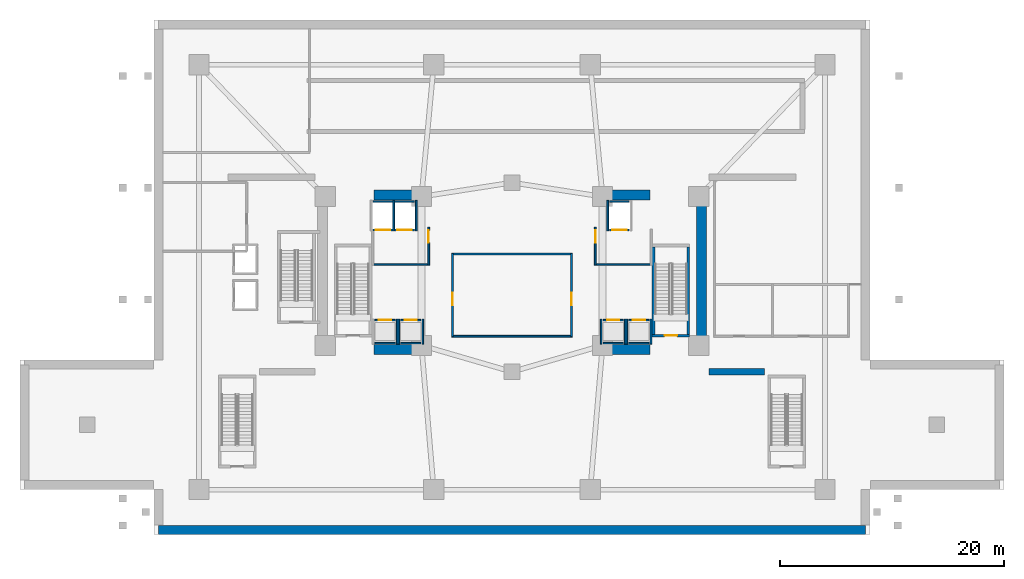
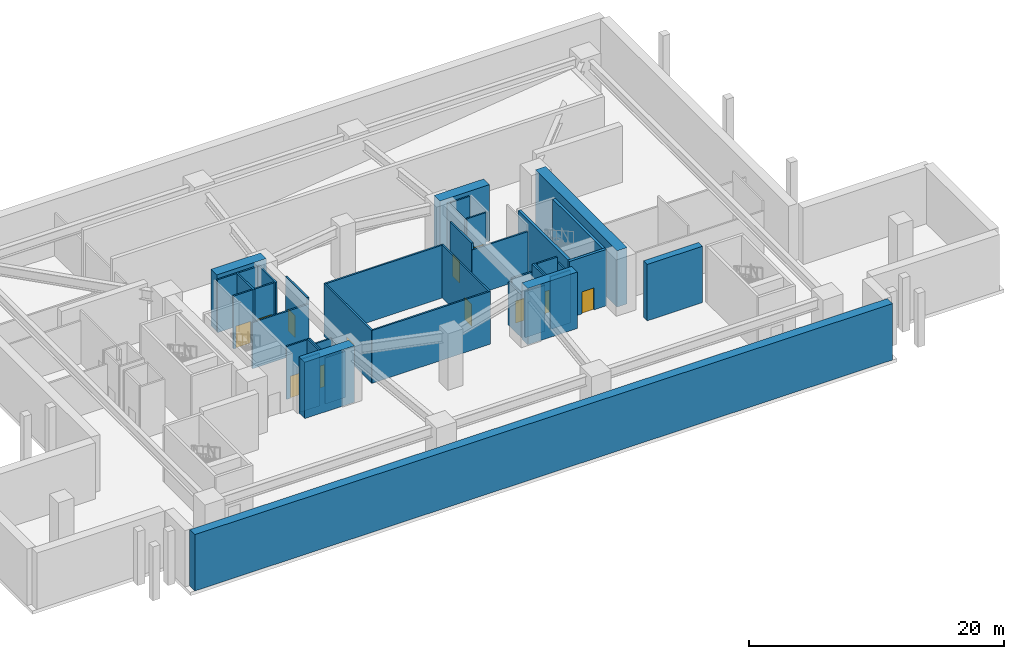
# One storey, part 3 of 9: 42 walls, 12 doors, 12 openings.
"""IFC4 building model written with IfcOpenShell, lengths in metres."""

from ifc_helpers import new_model, si_unit, direction, frame, frame_2d, origin, place, context, subcontext, project, spatial, rectangle, extrude, material, layer, layer_set, type_object, element, fill, save


model = new_model("IFC4")

# Units and contexts
model_context = context("Model", 3, precision=1e-05, world=origin(), true_north=direction((0.0, 1.0)))
body_context = subcontext(model_context, "Body", "Model", "MODEL_VIEW")
ifc_project = project(units=[si_unit("LENGTHUNIT", "METRE"), si_unit("AREAUNIT", "SQUARE_METRE"), si_unit("VOLUMEUNIT", "CUBIC_METRE"), si_unit("PLANEANGLEUNIT", "RADIAN"), si_unit("MASSUNIT", "GRAM", prefix="KILO")], contexts=[model_context])

# Site, building, storey
site_placement = place(None, origin())
site = spatial("IfcSite", under=ifc_project, at=site_placement, CompositionType="ELEMENT")
building_placement = place(site_placement, origin())
building = spatial("IfcBuilding", under=site, at=building_placement, Name="Solvane Sanctuary Tower", CompositionType="ELEMENT")
storey_placement = place(building_placement, frame((0.0, 0.0, -5.39990234375)))
storey = spatial("IfcBuildingStorey", under=building, at=storey_placement, Name="B01", CompositionType="ELEMENT", Elevation=-5.39990234375)

# Walls
ifc_material_1 = material(Name="Concrete C70/85", Category="concrete")
ifc_layer_1 = layer(ifc_material_1, 0.89990234375, Name="Concrete C70/85")
ifc_layer_set_1 = layer_set([ifc_layer_1], Name="Concrete C70/85")
wall_type_1 = type_object("IfcWallType", Name="Wall W-CORE-900", PredefinedType="SHEAR", material=ifc_layer_set_1)
for number, where, z_axis, x_axis, name in (
    (1, (19.64990234375, 16.550048828125, 0.0), (0.0, 0.0, 1.0), (1.0, 0.0, 0.0), "B01 Core Shear Wall WC-S"),
    (2, (19.64990234375, 30.35009765625, 0.0), (0.0, 0.0, 1.0), (1.0, 0.0, 0.0), "B01 Core Shear Wall WC-N"),
):
    element("IfcWall", number, at=place(storey_placement, frame(where, z_axis=z_axis, x_axis=x_axis)), inside=storey, type_object=wall_type_1, Name=name, PredefinedType="SHEAR", context=body_context, shape_type="SweptSolid", body=[
        extrude(rectangle(XDim=4.5, YDim=0.89990234375, at=frame_2d((2.25, 0.0))), origin(), (0.0, 0.0, 1.0), 5.39990234375),
    ])
wall_1_placement = place(storey_placement, frame((48.949951171875, 17.050048828125, 0.0), z_axis=(0.0, 0.0, 1.0), x_axis=(0.0, 1.0, 0.0)))
element("IfcWall", 3, at=wall_1_placement, inside=storey, type_object=wall_type_1, Name="B01 Core Shear Wall EC-E", PredefinedType="SHEAR", context=body_context, shape_type="SweptSolid", body=[
    extrude(rectangle(XDim=12.800048828125, YDim=0.89990234375, at=frame_2d((6.39990234375, 0.0))), origin(), (0.0, 0.0, 1.0), 5.39990234375),
])
for number, where, z_axis, x_axis, name in (
    (4, (39.85009765625, 16.550048828125, 0.0), (0.0, 0.0, 1.0), (1.0, 0.0, 0.0), "B01 Core Shear Wall EC-S"),
    (5, (39.85009765625, 30.35009765625, 0.0), (0.0, 0.0, 1.0), (1.0, 0.0, 0.0), "B01 Core Shear Wall EC-N"),
):
    element("IfcWall", number, at=place(storey_placement, frame(where, z_axis=z_axis, x_axis=x_axis)), inside=storey, type_object=wall_type_1, Name=name, PredefinedType="SHEAR", context=body_context, shape_type="SweptSolid", body=[
        extrude(rectangle(XDim=4.5, YDim=0.89990234375, at=frame_2d((2.25, 0.0))), origin(), (0.0, 0.0, 1.0), 5.39990234375),
    ])
ifc_material_2 = material(Name="Acoustic Gypsum Partition Board")
ifc_layer_2 = layer(ifc_material_2, 0.14990234375, Name="Acoustic Gypsum Partition Board")
ifc_layer_set_2 = layer_set([ifc_layer_2], Name="Acoustic Gypsum Partition Board")
wall_type_2 = type_object("IfcWallType", Name="Wall W-CORR-150", PredefinedType="PARTITIONING", material=ifc_layer_set_2)
wall_2_placement = place(storey_placement, frame((19.52001953125, 24.1201171875, 0.0), z_axis=(0.0, 0.0, 1.0), x_axis=(1.0, 0.0, 0.0)))
element("IfcWall", 6, at=wall_2_placement, inside=storey, type_object=wall_type_2, Name="B01 West Firefighting Lobby South Wall", PredefinedType="PARTITIONING", context=body_context, shape_type="SweptSolid", body=[
    extrude(rectangle(XDim=5.080078125, YDim=0.14990234375, at=frame_2d((2.5400390625, 0.0))), origin(), (0.0, 0.0, 1.0), 4.419921875),
])

# Wall, opening, door
wall_3_placement = place(storey_placement, frame((24.550048828125, 24.080078125, 0.0), z_axis=(0.0, 0.0, 1.0), x_axis=(0.0, 1.0, 0.0)))
wall_3 = element("IfcWall", 7, at=wall_3_placement, inside=storey, type_object=wall_type_2, Name="B01 West Firefighting Lobby East Wall", PredefinedType="PARTITIONING", context=body_context, shape_type="SweptSolid", body=[
    extrude(rectangle(XDim=3.39990234375, YDim=0.14990234375, at=frame_2d((1.699951171875, 0.0))), origin(), (0.0, 0.0, 1.0), 5.054931640625),
])
opening_1_placement = place(wall_3_placement, frame((2.02001953125, 0.0, 0.0)))
opening_1 = element("IfcOpeningElement", 8, at=opening_1_placement, cuts=wall_3, Name="Opening D-B01-06", PredefinedType="OPENING", context=body_context, shape_type="SweptSolid", body=[
    extrude(rectangle(XDim=1.10009765625, YDim=2.10009765625, at=frame_2d((0.550048828125, 1.050048828125))), frame((0.0, 0.0849609375, 0.0), z_axis=(0.0, -1.0, 0.0), x_axis=(1.0, 0.0, 0.0)), (0.0, 0.0, 1.0), 0.169921875),
])
ifc_material_3 = material(Name="Architectural Stainless Steel 316", Category="steel")
door_type_1 = type_object("IfcDoorType", Name="Door D-FFL", OperationType="NOTDEFINED", PredefinedType="DOOR", material=ifc_material_3)
door_1_placement = place(opening_1_placement, origin())
door_1 = element("IfcDoor", 9, at=door_1_placement, inside=storey, type_object=door_type_1, Name="B01 West Firefighting Lobby Fire Door", OperationType="SINGLE_SWING_RIGHT", OverallHeight=2.10009765625, OverallWidth=1.10009765625, PredefinedType="DOOR", context=body_context, shape_type="SweptSolid", body=[
    extrude(rectangle(XDim=1.10009765625, YDim=2.10009765625, at=frame_2d((0.550048828125, 1.050048828125))), frame((0.0, 0.02490234375, 0.0), z_axis=(0.0, -1.0, 0.0), x_axis=(1.0, 0.0, 0.0)), (0.0, 0.0, 1.0), 0.050048828125),
])
fill(opening_1, door_1)

# Wall
wall_4_placement = place(storey_placement, frame((39.39990234375, 24.1201171875, 0.0), z_axis=(0.0, 0.0, 1.0), x_axis=(1.0, 0.0, 0.0)))
element("IfcWall", 10, at=wall_4_placement, inside=storey, type_object=wall_type_2, Name="B01 East Firefighting Lobby South Wall", PredefinedType="PARTITIONING", context=body_context, shape_type="SweptSolid", body=[
    extrude(rectangle(XDim=5.080078125, YDim=0.14990234375, at=frame_2d((2.5400390625, 0.0))), origin(), (0.0, 0.0, 1.0), 4.419921875),
])

# Wall, opening, door
wall_5_placement = place(storey_placement, frame((39.449951171875, 24.080078125, 0.0), z_axis=(0.0, 0.0, 1.0), x_axis=(0.0, 1.0, 0.0)))
wall_5 = element("IfcWall", 11, at=wall_5_placement, inside=storey, type_object=wall_type_2, Name="B01 East Firefighting Lobby West Wall", PredefinedType="PARTITIONING", context=body_context, shape_type="SweptSolid", body=[
    extrude(rectangle(XDim=3.39990234375, YDim=0.14990234375, at=frame_2d((1.699951171875, 0.0))), origin(), (0.0, 0.0, 1.0), 5.054931640625),
])
opening_2_placement = place(wall_5_placement, frame((2.02001953125, 0.0, 0.0)))
opening_2 = element("IfcOpeningElement", 12, at=opening_2_placement, cuts=wall_5, Name="Opening D-B01-07", PredefinedType="OPENING", context=body_context, shape_type="SweptSolid", body=[
    extrude(rectangle(XDim=1.10009765625, YDim=2.10009765625, at=frame_2d((0.550048828125, 1.050048828125))), frame((0.0, 0.0849609375, 0.0), z_axis=(0.0, -1.0, 0.0), x_axis=(1.0, 0.0, 0.0)), (0.0, 0.0, 1.0), 0.169921875),
])
door_2_placement = place(opening_2_placement, origin())
door_2 = element("IfcDoor", 13, at=door_2_placement, inside=storey, type_object=door_type_1, Name="B01 East Firefighting Lobby Fire Door", OperationType="SINGLE_SWING_LEFT", OverallHeight=2.10009765625, OverallWidth=1.10009765625, PredefinedType="DOOR", context=body_context, shape_type="SweptSolid", body=[
    extrude(rectangle(XDim=1.10009765625, YDim=2.10009765625, at=frame_2d((0.550048828125, 1.050048828125))), frame((0.0, 0.02490234375, 0.0), z_axis=(0.0, -1.0, 0.0), x_axis=(1.0, 0.0, 0.0)), (0.0, 0.0, 1.0), 0.050048828125),
])
fill(opening_2, door_2)

# Walls
for number, where, z_axis, x_axis, name in (
    (14, (26.6201171875, 17.719970703125, 0.0), (0.0, 0.0, 1.0), (1.0, 0.0, 0.0), "B01 Ticketing Hall South Wall"),
    (15, (26.6201171875, 25.080078125, 0.0), (0.0, 0.0, 1.0), (1.0, 0.0, 0.0), "B01 Ticketing Hall North Wall"),
):
    element("IfcWall", number, at=place(storey_placement, frame(where, z_axis=z_axis, x_axis=x_axis)), inside=storey, type_object=wall_type_2, Name=name, PredefinedType="PARTITIONING", context=body_context, shape_type="SweptSolid", body=[
        extrude(rectangle(XDim=10.759765625, YDim=0.14990234375, at=frame_2d((5.3798828125, 0.0))), origin(), (0.0, 0.0, 1.0), 5.054931640625),
    ])

# Wall, opening, door
wall_6_placement = place(storey_placement, frame((26.679931640625, 17.699951171875, 0.0), z_axis=(0.0, 0.0, 1.0), x_axis=(0.0, 1.0, 0.0)))
wall_6 = element("IfcWall", 16, at=wall_6_placement, inside=storey, type_object=wall_type_2, Name="B01 Ticketing Hall West Wall", PredefinedType="PARTITIONING", context=body_context, shape_type="SweptSolid", body=[
    extrude(rectangle(XDim=7.400146484375, YDim=0.14990234375, at=frame_2d((3.7001953125, 0.0))), origin(), (0.0, 0.0, 1.0), 5.054931640625),
])
opening_3_placement = place(wall_6_placement, frame((2.800048828125, 0.0, 0.0)))
opening_3 = element("IfcOpeningElement", 17, at=opening_3_placement, cuts=wall_6, Name="Opening D-B01-13", PredefinedType="OPENING", context=body_context, shape_type="SweptSolid", body=[
    extrude(rectangle(XDim=1.10009765625, YDim=2.10009765625, at=frame_2d((0.550048828125, 1.050048828125))), frame((0.0, 0.0849609375, 0.0), z_axis=(0.0, -1.0, 0.0), x_axis=(1.0, 0.0, 0.0)), (0.0, 0.0, 1.0), 0.169921875),
])
door_3_placement = place(opening_3_placement, origin())
door_3 = element("IfcDoor", 18, at=door_3_placement, inside=storey, type_object=door_type_1, Name="B01 Ticketing Hall West Door", OperationType="SINGLE_SWING_LEFT", OverallHeight=2.10009765625, OverallWidth=1.10009765625, PredefinedType="DOOR", context=body_context, shape_type="SweptSolid", body=[
    extrude(rectangle(XDim=1.10009765625, YDim=2.10009765625, at=frame_2d((0.550048828125, 1.050048828125))), frame((0.0, 0.02490234375, 0.0), z_axis=(0.0, -1.0, 0.0), x_axis=(1.0, 0.0, 0.0)), (0.0, 0.0, 1.0), 0.050048828125),
])
fill(opening_3, door_3)

wall_7_placement = place(storey_placement, frame((37.320068359375, 17.699951171875, 0.0), z_axis=(0.0, 0.0, 1.0), x_axis=(0.0, 1.0, 0.0)))
wall_7 = element("IfcWall", 19, at=wall_7_placement, inside=storey, type_object=wall_type_2, Name="B01 Ticketing Hall East Wall", PredefinedType="PARTITIONING", context=body_context, shape_type="SweptSolid", body=[
    extrude(rectangle(XDim=7.400146484375, YDim=0.14990234375, at=frame_2d((3.7001953125, 0.0))), origin(), (0.0, 0.0, 1.0), 5.054931640625),
])
opening_4_placement = place(wall_7_placement, frame((2.800048828125, 0.0, 0.0)))
opening_4 = element("IfcOpeningElement", 20, at=opening_4_placement, cuts=wall_7, Name="Opening D-B01-14", PredefinedType="OPENING", context=body_context, shape_type="SweptSolid", body=[
    extrude(rectangle(XDim=1.10009765625, YDim=2.10009765625, at=frame_2d((0.550048828125, 1.050048828125))), frame((0.0, 0.0849609375, 0.0), z_axis=(0.0, -1.0, 0.0), x_axis=(1.0, 0.0, 0.0)), (0.0, 0.0, 1.0), 0.169921875),
])
door_4_placement = place(opening_4_placement, origin())
door_4 = element("IfcDoor", 21, at=door_4_placement, inside=storey, type_object=door_type_1, Name="B01 Ticketing Hall East Door", OperationType="SINGLE_SWING_RIGHT", OverallHeight=2.10009765625, OverallWidth=1.10009765625, PredefinedType="DOOR", context=body_context, shape_type="SweptSolid", body=[
    extrude(rectangle(XDim=1.10009765625, YDim=2.10009765625, at=frame_2d((0.550048828125, 1.050048828125))), frame((0.0, 0.02490234375, 0.0), z_axis=(0.0, -1.0, 0.0), x_axis=(1.0, 0.0, 0.0)), (0.0, 0.0, 1.0), 0.050048828125),
])
fill(opening_4, door_4)

# Walls
ifc_material_4 = material(Name="Concrete C60/75", Category="concrete")
ifc_layer_3 = layer(ifc_material_4, 0.60009765625, Name="Concrete C60/75")
ifc_layer_set_3 = layer_set([ifc_layer_3], Name="Concrete C60/75")
wall_type_3 = type_object("IfcWallType", Name="Wall W-METRO-600", PredefinedType="SOLIDWALL", material=ifc_layer_set_3)
wall_8_placement = place(storey_placement, frame((49.60009765625, 14.550048828125, 0.0), z_axis=(0.0, 0.0, 1.0), x_axis=(1.0, 0.0, 0.0)))
element("IfcWall", 22, at=wall_8_placement, inside=storey, type_object=wall_type_3, Name="B01 Metro Station Box Wall MS2", PredefinedType="SOLIDWALL", context=body_context, shape_type="SweptSolid", body=[
    extrude(rectangle(XDim=5.0, YDim=0.60009765625, at=frame_2d((2.5, 0.0))), origin(), (0.0, 0.0, 1.0), 5.39990234375),
])
ifc_layer_4 = layer(ifc_material_4, 0.800048828125, Name="Concrete C60/75")
ifc_layer_set_4 = layer_set([ifc_layer_4], Name="Concrete C60/75")
wall_type_4 = type_object("IfcWallType", Name="Wall W-RET-800", PredefinedType="USERDEFINED", material=ifc_layer_set_4)
wall_9_placement = place(storey_placement, frame((0.39990234375, 0.39990234375, 0.0), z_axis=(0.0, 0.0, 1.0), x_axis=(1.0, 0.0, 0.0)))
element("IfcWall", 23, at=wall_9_placement, inside=storey, type_object=wall_type_4, Name="B01 Perimeter Retaining Wall S", ObjectType="RETAININGWALL", PredefinedType="USERDEFINED", context=body_context, shape_type="SweptSolid", body=[
    extrude(rectangle(XDim=63.2001953125, YDim=0.800048828125, at=frame_2d((31.60009765625, 0.0))), origin(), (0.0, 0.0, 1.0), 5.39990234375),
])

# Wall, opening, door
ifc_material_5 = material(Name="Concrete C50/60", Category="concrete")
ifc_layer_5 = layer(ifc_material_5, 0.14990234375, Name="Concrete C50/60")
ifc_layer_set_5 = layer_set([ifc_layer_5], Name="Concrete C50/60")
wall_type_5 = type_object("IfcWallType", Name="Wall W-SHAFT-150", PredefinedType="SOLIDWALL", material=ifc_layer_set_5)
wall_10_placement = place(storey_placement, frame((19.739990234375, 19.159912109375, 0.0), z_axis=(0.0, 0.0, 1.0), x_axis=(1.0, 0.0, 0.0)))
wall_10 = element("IfcWall", 24, at=wall_10_placement, inside=storey, type_object=wall_type_5, Name="B01 PL-1 Lift Shaft Wall F", PredefinedType="SOLIDWALL", context=body_context, shape_type="SweptSolid", body=[
    extrude(rectangle(XDim=1.820068359375, YDim=0.14990234375, at=frame_2d((0.91015625, 0.0))), origin(), (0.0, 0.0, 1.0), 5.054931640625),
])
opening_5_placement = place(wall_10_placement, frame((0.360107421875, 0.0, 0.0)))
opening_5 = element("IfcOpeningElement", 25, at=opening_5_placement, cuts=wall_10, Name="Opening LD-B01-01", PredefinedType="OPENING", context=body_context, shape_type="SweptSolid", body=[
    extrude(rectangle(XDim=1.10009765625, YDim=2.10009765625, at=frame_2d((0.550048828125, 1.050048828125))), frame((0.0, 0.0849609375, 0.0), z_axis=(0.0, -1.0, 0.0), x_axis=(1.0, 0.0, 0.0)), (0.0, 0.0, 1.0), 0.169921875),
])
door_type_2 = type_object("IfcDoorType", Name="Door LD-PASS-1100", OperationType="NOTDEFINED", PredefinedType="DOOR", material=ifc_material_3)
door_5_placement = place(opening_5_placement, origin())
door_5 = element("IfcDoor", 26, at=door_5_placement, inside=storey, type_object=door_type_2, Name="B01 PL-1 Lift Landing Door", OperationType="DOUBLE_DOOR_SLIDING", OverallHeight=2.10009765625, OverallWidth=1.10009765625, PredefinedType="DOOR", context=body_context, shape_type="SweptSolid", body=[
    extrude(rectangle(XDim=1.10009765625, YDim=2.10009765625, at=frame_2d((0.550048828125, 1.050048828125))), frame((0.0, 0.02490234375, 0.0), z_axis=(0.0, -1.0, 0.0), x_axis=(1.0, 0.0, 0.0)), (0.0, 0.0, 1.0), 0.050048828125),
])
fill(opening_5, door_5)

# Walls
wall_11_placement = place(storey_placement, frame((19.739990234375, 17.10009765625, 0.0), z_axis=(0.0, 0.0, 1.0), x_axis=(1.0, 0.0, 0.0)))
element("IfcWall", 27, at=wall_11_placement, inside=storey, type_object=wall_type_5, Name="B01 PL-1 Lift Shaft Wall B", PredefinedType="SOLIDWALL", context=body_context, shape_type="SweptSolid", body=[
    extrude(rectangle(XDim=1.820068359375, YDim=0.14990234375, at=frame_2d((0.91015625, 0.0))), origin(), (0.0, 0.0, 1.0), 5.054931640625),
])
wall_12_placement = place(storey_placement, frame((21.72998046875, 17.02001953125, 0.0), z_axis=(0.0, 0.0, 1.0), x_axis=(0.0, 1.0, 0.0)))
element("IfcWall", 28, at=wall_12_placement, inside=storey, type_object=wall_type_5, Name="B01 PL-1 Lift Shaft Wall S2", PredefinedType="SOLIDWALL", context=body_context, shape_type="SweptSolid", body=[
    extrude(rectangle(XDim=2.219970703125, YDim=0.14990234375, at=frame_2d((1.10986328125, 0.0))), origin(), (0.0, 0.0, 1.0), 5.054931640625),
])

# Wall, opening, door
wall_13_placement = place(storey_placement, frame((22.0400390625, 19.159912109375, 0.0), z_axis=(0.0, 0.0, 1.0), x_axis=(1.0, 0.0, 0.0)))
wall_13 = element("IfcWall", 29, at=wall_13_placement, inside=storey, type_object=wall_type_5, Name="B01 PL-2 Lift Shaft Wall F", PredefinedType="SOLIDWALL", context=body_context, shape_type="SweptSolid", body=[
    extrude(rectangle(XDim=1.820068359375, YDim=0.14990234375, at=frame_2d((0.91015625, 0.0))), origin(), (0.0, 0.0, 1.0), 4.419921875),
])
opening_6_placement = place(wall_13_placement, frame((0.360107421875, 0.0, 0.0)))
opening_6 = element("IfcOpeningElement", 30, at=opening_6_placement, cuts=wall_13, Name="Opening LD-B01-02", PredefinedType="OPENING", context=body_context, shape_type="SweptSolid", body=[
    extrude(rectangle(XDim=1.10009765625, YDim=2.10009765625, at=frame_2d((0.550048828125, 1.050048828125))), frame((0.0, 0.0849609375, 0.0), z_axis=(0.0, -1.0, 0.0), x_axis=(1.0, 0.0, 0.0)), (0.0, 0.0, 1.0), 0.169921875),
])
door_6_placement = place(opening_6_placement, origin())
door_6 = element("IfcDoor", 31, at=door_6_placement, inside=storey, type_object=door_type_2, Name="B01 PL-2 Lift Landing Door", OperationType="DOUBLE_DOOR_SLIDING", OverallHeight=2.10009765625, OverallWidth=1.10009765625, PredefinedType="DOOR", context=body_context, shape_type="SweptSolid", body=[
    extrude(rectangle(XDim=1.10009765625, YDim=2.10009765625, at=frame_2d((0.550048828125, 1.050048828125))), frame((0.0, 0.02490234375, 0.0), z_axis=(0.0, -1.0, 0.0), x_axis=(1.0, 0.0, 0.0)), (0.0, 0.0, 1.0), 0.050048828125),
])
fill(opening_6, door_6)

# Walls
wall_14_placement = place(storey_placement, frame((22.0400390625, 17.10009765625, 0.0), z_axis=(0.0, 0.0, 1.0), x_axis=(1.0, 0.0, 0.0)))
element("IfcWall", 32, at=wall_14_placement, inside=storey, type_object=wall_type_5, Name="B01 PL-2 Lift Shaft Wall B", PredefinedType="SOLIDWALL", context=body_context, shape_type="SweptSolid", body=[
    extrude(rectangle(XDim=1.820068359375, YDim=0.14990234375, at=frame_2d((0.91015625, 0.0))), origin(), (0.0, 0.0, 1.0), 4.419921875),
])
wall_15_placement = place(storey_placement, frame((21.8701171875, 17.02001953125, 0.0), z_axis=(0.0, 0.0, 1.0), x_axis=(0.0, 1.0, 0.0)))
element("IfcWall", 33, at=wall_15_placement, inside=storey, type_object=wall_type_5, Name="B01 PL-2 Lift Shaft Wall S1", PredefinedType="SOLIDWALL", context=body_context, shape_type="SweptSolid", body=[
    extrude(rectangle(XDim=2.219970703125, YDim=0.14990234375, at=frame_2d((1.10986328125, 0.0))), origin(), (0.0, 0.0, 1.0), 5.054931640625),
])
wall_16_placement = place(storey_placement, frame((24.030029296875, 17.02001953125, 0.0), z_axis=(0.0, 0.0, 1.0), x_axis=(0.0, 1.0, 0.0)))
element("IfcWall", 34, at=wall_16_placement, inside=storey, type_object=wall_type_5, Name="B01 PL-2 Lift Shaft Wall S2", PredefinedType="SOLIDWALL", context=body_context, shape_type="SweptSolid", body=[
    extrude(rectangle(XDim=2.219970703125, YDim=0.14990234375, at=frame_2d((1.10986328125, 0.0))), origin(), (0.0, 0.0, 1.0), 4.099853515625),
])

# Wall, opening, door
wall_17_placement = place(storey_placement, frame((40.139892578125, 19.159912109375, 0.0), z_axis=(0.0, 0.0, 1.0), x_axis=(1.0, 0.0, 0.0)))
wall_17 = element("IfcWall", 35, at=wall_17_placement, inside=storey, type_object=wall_type_5, Name="B01 PL-3 Lift Shaft Wall F", PredefinedType="SOLIDWALL", context=body_context, shape_type="SweptSolid", body=[
    extrude(rectangle(XDim=1.820068359375, YDim=0.14990234375, at=frame_2d((0.91015625, 0.0))), origin(), (0.0, 0.0, 1.0), 4.419921875),
])
opening_7_placement = place(wall_17_placement, frame((0.360107421875, 0.0, 0.0)))
opening_7 = element("IfcOpeningElement", 36, at=opening_7_placement, cuts=wall_17, Name="Opening LD-B01-03", PredefinedType="OPENING", context=body_context, shape_type="SweptSolid", body=[
    extrude(rectangle(XDim=1.10009765625, YDim=2.10009765625, at=frame_2d((0.550048828125, 1.050048828125))), frame((0.0, 0.0849609375, 0.0), z_axis=(0.0, -1.0, 0.0), x_axis=(1.0, 0.0, 0.0)), (0.0, 0.0, 1.0), 0.169921875),
])
door_7_placement = place(opening_7_placement, origin())
door_7 = element("IfcDoor", 37, at=door_7_placement, inside=storey, type_object=door_type_2, Name="B01 PL-3 Lift Landing Door", OperationType="DOUBLE_DOOR_SLIDING", OverallHeight=2.10009765625, OverallWidth=1.10009765625, PredefinedType="DOOR", context=body_context, shape_type="SweptSolid", body=[
    extrude(rectangle(XDim=1.10009765625, YDim=2.10009765625, at=frame_2d((0.550048828125, 1.050048828125))), frame((0.0, 0.02490234375, 0.0), z_axis=(0.0, -1.0, 0.0), x_axis=(1.0, 0.0, 0.0)), (0.0, 0.0, 1.0), 0.050048828125),
])
fill(opening_7, door_7)

# Walls
wall_18_placement = place(storey_placement, frame((40.139892578125, 17.10009765625, 0.0), z_axis=(0.0, 0.0, 1.0), x_axis=(1.0, 0.0, 0.0)))
element("IfcWall", 38, at=wall_18_placement, inside=storey, type_object=wall_type_5, Name="B01 PL-3 Lift Shaft Wall B", PredefinedType="SOLIDWALL", context=body_context, shape_type="SweptSolid", body=[
    extrude(rectangle(XDim=1.820068359375, YDim=0.14990234375, at=frame_2d((0.91015625, 0.0))), origin(), (0.0, 0.0, 1.0), 4.419921875),
])
wall_19_placement = place(storey_placement, frame((39.969970703125, 17.02001953125, 0.0), z_axis=(0.0, 0.0, 1.0), x_axis=(0.0, 1.0, 0.0)))
element("IfcWall", 39, at=wall_19_placement, inside=storey, type_object=wall_type_5, Name="B01 PL-3 Lift Shaft Wall S1", PredefinedType="SOLIDWALL", context=body_context, shape_type="SweptSolid", body=[
    extrude(rectangle(XDim=2.219970703125, YDim=0.14990234375, at=frame_2d((1.10986328125, 0.0))), origin(), (0.0, 0.0, 1.0), 4.099853515625),
])
wall_20_placement = place(storey_placement, frame((42.1298828125, 17.02001953125, 0.0), z_axis=(0.0, 0.0, 1.0), x_axis=(0.0, 1.0, 0.0)))
element("IfcWall", 40, at=wall_20_placement, inside=storey, type_object=wall_type_5, Name="B01 PL-3 Lift Shaft Wall S2", PredefinedType="SOLIDWALL", context=body_context, shape_type="SweptSolid", body=[
    extrude(rectangle(XDim=2.219970703125, YDim=0.14990234375, at=frame_2d((1.10986328125, 0.0))), origin(), (0.0, 0.0, 1.0), 5.054931640625),
])

# Wall, opening, door
wall_21_placement = place(storey_placement, frame((42.43994140625, 19.159912109375, 0.0), z_axis=(0.0, 0.0, 1.0), x_axis=(1.0, 0.0, 0.0)))
wall_21 = element("IfcWall", 41, at=wall_21_placement, inside=storey, type_object=wall_type_5, Name="B01 PL-4 Lift Shaft Wall F", PredefinedType="SOLIDWALL", context=body_context, shape_type="SweptSolid", body=[
    extrude(rectangle(XDim=1.820068359375, YDim=0.14990234375, at=frame_2d((0.91015625, 0.0))), origin(), (0.0, 0.0, 1.0), 5.054931640625),
])
opening_8_placement = place(wall_21_placement, frame((0.360107421875, 0.0, 0.0)))
opening_8 = element("IfcOpeningElement", 42, at=opening_8_placement, cuts=wall_21, Name="Opening LD-B01-04", PredefinedType="OPENING", context=body_context, shape_type="SweptSolid", body=[
    extrude(rectangle(XDim=1.10009765625, YDim=2.10009765625, at=frame_2d((0.550048828125, 1.050048828125))), frame((0.0, 0.0849609375, 0.0), z_axis=(0.0, -1.0, 0.0), x_axis=(1.0, 0.0, 0.0)), (0.0, 0.0, 1.0), 0.169921875),
])
door_8_placement = place(opening_8_placement, origin())
door_8 = element("IfcDoor", 43, at=door_8_placement, inside=storey, type_object=door_type_2, Name="B01 PL-4 Lift Landing Door", OperationType="DOUBLE_DOOR_SLIDING", OverallHeight=2.10009765625, OverallWidth=1.10009765625, PredefinedType="DOOR", context=body_context, shape_type="SweptSolid", body=[
    extrude(rectangle(XDim=1.10009765625, YDim=2.10009765625, at=frame_2d((0.550048828125, 1.050048828125))), frame((0.0, 0.02490234375, 0.0), z_axis=(0.0, -1.0, 0.0), x_axis=(1.0, 0.0, 0.0)), (0.0, 0.0, 1.0), 0.050048828125),
])
fill(opening_8, door_8)

# Walls
wall_22_placement = place(storey_placement, frame((42.43994140625, 17.10009765625, 0.0), z_axis=(0.0, 0.0, 1.0), x_axis=(1.0, 0.0, 0.0)))
element("IfcWall", 44, at=wall_22_placement, inside=storey, type_object=wall_type_5, Name="B01 PL-4 Lift Shaft Wall B", PredefinedType="SOLIDWALL", context=body_context, shape_type="SweptSolid", body=[
    extrude(rectangle(XDim=1.820068359375, YDim=0.14990234375, at=frame_2d((0.91015625, 0.0))), origin(), (0.0, 0.0, 1.0), 5.054931640625),
])
wall_23_placement = place(storey_placement, frame((42.27001953125, 17.02001953125, 0.0), z_axis=(0.0, 0.0, 1.0), x_axis=(0.0, 1.0, 0.0)))
element("IfcWall", 45, at=wall_23_placement, inside=storey, type_object=wall_type_5, Name="B01 PL-4 Lift Shaft Wall S1", PredefinedType="SOLIDWALL", context=body_context, shape_type="SweptSolid", body=[
    extrude(rectangle(XDim=2.219970703125, YDim=0.14990234375, at=frame_2d((1.10986328125, 0.0))), origin(), (0.0, 0.0, 1.0), 5.054931640625),
])
wall_24_placement = place(storey_placement, frame((44.429931640625, 17.02001953125, 0.0), z_axis=(0.0, 0.0, 1.0), x_axis=(0.0, 1.0, 0.0)))
element("IfcWall", 46, at=wall_24_placement, inside=storey, type_object=wall_type_5, Name="B01 PL-4 Lift Shaft Wall S2", PredefinedType="SOLIDWALL", context=body_context, shape_type="SweptSolid", body=[
    extrude(rectangle(XDim=2.219970703125, YDim=0.14990234375, at=frame_2d((1.10986328125, 0.0))), origin(), (0.0, 0.0, 1.0), 4.419921875),
])

# Wall, opening, door
wall_25_placement = place(storey_placement, frame((19.590087890625, 27.219970703125, 0.0), z_axis=(0.0, 0.0, 1.0), x_axis=(1.0, 0.0, 0.0)))
wall_25 = element("IfcWall", 47, at=wall_25_placement, inside=storey, type_object=wall_type_5, Name="B01 FFL-1 Lift Shaft Wall F", PredefinedType="SOLIDWALL", context=body_context, shape_type="SweptSolid", body=[
    extrude(rectangle(XDim=1.760009765625, YDim=0.14990234375, at=frame_2d((0.8798828125, 0.0))), origin(), (0.0, 0.0, 1.0), 5.054931640625),
])
opening_9_placement = place(wall_25_placement, frame((0.22998046875, 0.0, 0.0)))
opening_9 = element("IfcOpeningElement", 48, at=opening_9_placement, cuts=wall_25, Name="Opening LD-B01-05", PredefinedType="OPENING", context=body_context, shape_type="SweptSolid", body=[
    extrude(rectangle(XDim=1.300048828125, YDim=2.10009765625, at=frame_2d((0.64990234375, 1.050048828125))), frame((0.0, 0.0849609375, 0.0), z_axis=(0.0, -1.0, 0.0), x_axis=(1.0, 0.0, 0.0)), (0.0, 0.0, 1.0), 0.169921875),
])
door_type_3 = type_object("IfcDoorType", Name="Door LD-FFL-1300", OperationType="NOTDEFINED", PredefinedType="DOOR", material=ifc_material_3)
door_9_placement = place(opening_9_placement, origin())
door_9 = element("IfcDoor", 49, at=door_9_placement, inside=storey, type_object=door_type_3, Name="B01 FFL-1 Lift Landing Door", OperationType="DOUBLE_DOOR_SLIDING", OverallHeight=2.10009765625, OverallWidth=1.300048828125, PredefinedType="DOOR", context=body_context, shape_type="SweptSolid", body=[
    extrude(rectangle(XDim=1.300048828125, YDim=2.10009765625, at=frame_2d((0.64990234375, 1.050048828125))), frame((0.0, 0.02490234375, 0.0), z_axis=(0.0, -1.0, 0.0), x_axis=(1.0, 0.0, 0.0)), (0.0, 0.0, 1.0), 0.050048828125),
])
fill(opening_9, door_9)

# Walls
wall_26_placement = place(storey_placement, frame((19.590087890625, 29.780029296875, 0.0), z_axis=(0.0, 0.0, 1.0), x_axis=(1.0, 0.0, 0.0)))
element("IfcWall", 50, at=wall_26_placement, inside=storey, type_object=wall_type_5, Name="B01 FFL-1 Lift Shaft Wall B", PredefinedType="SOLIDWALL", context=body_context, shape_type="SweptSolid", body=[
    extrude(rectangle(XDim=1.760009765625, YDim=0.14990234375, at=frame_2d((0.8798828125, 0.0))), origin(), (0.0, 0.0, 1.0), 5.054931640625),
])
wall_27_placement = place(storey_placement, frame((21.425048828125, 27.139892578125, 0.0), z_axis=(0.0, 0.0, 1.0), x_axis=(0.0, 1.0, 0.0)))
element("IfcWall", 51, at=wall_27_placement, inside=storey, type_object=wall_type_5, Name="B01 FFL-1 Lift Shaft Wall S2", PredefinedType="SOLIDWALL", context=body_context, shape_type="SweptSolid", body=[
    extrude(rectangle(XDim=2.72021484375, YDim=0.14990234375, at=frame_2d((1.360107421875, 0.0))), origin(), (0.0, 0.0, 1.0), 5.054931640625),
])

# Wall, opening, door
wall_28_placement = place(storey_placement, frame((21.5, 27.219970703125, 0.0), z_axis=(0.0, 0.0, 1.0), x_axis=(1.0, 0.0, 0.0)))
wall_28 = element("IfcWall", 52, at=wall_28_placement, inside=storey, type_object=wall_type_5, Name="B01 SVL-1 Lift Shaft Wall F", PredefinedType="SOLIDWALL", context=body_context, shape_type="SweptSolid", body=[
    extrude(rectangle(XDim=1.760009765625, YDim=0.14990234375, at=frame_2d((0.8798828125, 0.0))), origin(), (0.0, 0.0, 1.0), 5.054931640625),
])
opening_10_placement = place(wall_28_placement, frame((0.22998046875, 0.0, 0.0)))
opening_10 = element("IfcOpeningElement", 53, at=opening_10_placement, cuts=wall_28, Name="Opening LD-B01-06", PredefinedType="OPENING", context=body_context, shape_type="SweptSolid", body=[
    extrude(rectangle(XDim=1.300048828125, YDim=2.10009765625, at=frame_2d((0.64990234375, 1.050048828125))), frame((0.0, 0.0849609375, 0.0), z_axis=(0.0, -1.0, 0.0), x_axis=(1.0, 0.0, 0.0)), (0.0, 0.0, 1.0), 0.169921875),
])
door_10_placement = place(opening_10_placement, origin())
door_10 = element("IfcDoor", 54, at=door_10_placement, inside=storey, type_object=door_type_3, Name="B01 SVL-1 Lift Landing Door", OperationType="DOUBLE_DOOR_SLIDING", OverallHeight=2.10009765625, OverallWidth=1.300048828125, PredefinedType="DOOR", context=body_context, shape_type="SweptSolid", body=[
    extrude(rectangle(XDim=1.300048828125, YDim=2.10009765625, at=frame_2d((0.64990234375, 1.050048828125))), frame((0.0, 0.02490234375, 0.0), z_axis=(0.0, -1.0, 0.0), x_axis=(1.0, 0.0, 0.0)), (0.0, 0.0, 1.0), 0.050048828125),
])
fill(opening_10, door_10)

# Walls
wall_29_placement = place(storey_placement, frame((21.5, 29.780029296875, 0.0), z_axis=(0.0, 0.0, 1.0), x_axis=(1.0, 0.0, 0.0)))
element("IfcWall", 55, at=wall_29_placement, inside=storey, type_object=wall_type_5, Name="B01 SVL-1 Lift Shaft Wall B", PredefinedType="SOLIDWALL", context=body_context, shape_type="SweptSolid", body=[
    extrude(rectangle(XDim=1.760009765625, YDim=0.14990234375, at=frame_2d((0.8798828125, 0.0))), origin(), (0.0, 0.0, 1.0), 5.054931640625),
])
wall_30_placement = place(storey_placement, frame((23.429931640625, 27.139892578125, 0.0), z_axis=(0.0, 0.0, 1.0), x_axis=(0.0, 1.0, 0.0)))
element("IfcWall", 56, at=wall_30_placement, inside=storey, type_object=wall_type_5, Name="B01 SVL-1 Lift Shaft Wall S2", PredefinedType="SOLIDWALL", context=body_context, shape_type="SweptSolid", body=[
    extrude(rectangle(XDim=2.72021484375, YDim=0.14990234375, at=frame_2d((1.360107421875, 0.0))), origin(), (0.0, 0.0, 1.0), 5.054931640625),
])

# Wall, opening, door
wall_31_placement = place(storey_placement, frame((40.739990234375, 27.219970703125, 0.0), z_axis=(0.0, 0.0, 1.0), x_axis=(1.0, 0.0, 0.0)))
wall_31 = element("IfcWall", 57, at=wall_31_placement, inside=storey, type_object=wall_type_5, Name="B01 FFL-2 Lift Shaft Wall F", PredefinedType="SOLIDWALL", context=body_context, shape_type="SweptSolid", body=[
    extrude(rectangle(XDim=1.719970703125, YDim=0.14990234375, at=frame_2d((0.85986328125, 0.0))), origin(), (0.0, 0.0, 1.0), 5.054931640625),
])
opening_11_placement = place(wall_31_placement, frame((0.2099609375, 0.0, 0.0)))
opening_11 = element("IfcOpeningElement", 58, at=opening_11_placement, cuts=wall_31, Name="Opening LD-B01-07", PredefinedType="OPENING", context=body_context, shape_type="SweptSolid", body=[
    extrude(rectangle(XDim=1.300048828125, YDim=2.10009765625, at=frame_2d((0.64990234375, 1.050048828125))), frame((0.0, 0.0849609375, 0.0), z_axis=(0.0, -1.0, 0.0), x_axis=(1.0, 0.0, 0.0)), (0.0, 0.0, 1.0), 0.169921875),
])
door_11_placement = place(opening_11_placement, origin())
door_11 = element("IfcDoor", 59, at=door_11_placement, inside=storey, type_object=door_type_3, Name="B01 FFL-2 Lift Landing Door", OperationType="DOUBLE_DOOR_SLIDING", OverallHeight=2.10009765625, OverallWidth=1.300048828125, PredefinedType="DOOR", context=body_context, shape_type="SweptSolid", body=[
    extrude(rectangle(XDim=1.300048828125, YDim=2.10009765625, at=frame_2d((0.64990234375, 1.050048828125))), frame((0.0, 0.02490234375, 0.0), z_axis=(0.0, -1.0, 0.0), x_axis=(1.0, 0.0, 0.0)), (0.0, 0.0, 1.0), 0.050048828125),
])
fill(opening_11, door_11)

# Walls
wall_32_placement = place(storey_placement, frame((40.739990234375, 29.780029296875, 0.0), z_axis=(0.0, 0.0, 1.0), x_axis=(1.0, 0.0, 0.0)))
element("IfcWall", 60, at=wall_32_placement, inside=storey, type_object=wall_type_5, Name="B01 FFL-2 Lift Shaft Wall B", PredefinedType="SOLIDWALL", context=body_context, shape_type="SweptSolid", body=[
    extrude(rectangle(XDim=1.719970703125, YDim=0.14990234375, at=frame_2d((0.85986328125, 0.0))), origin(), (0.0, 0.0, 1.0), 5.054931640625),
])
wall_33_placement = place(storey_placement, frame((40.570068359375, 27.139892578125, 0.0), z_axis=(0.0, 0.0, 1.0), x_axis=(0.0, 1.0, 0.0)))
element("IfcWall", 61, at=wall_33_placement, inside=storey, type_object=wall_type_5, Name="B01 FFL-2 Lift Shaft Wall S1", PredefinedType="SOLIDWALL", context=body_context, shape_type="SweptSolid", body=[
    extrude(rectangle(XDim=2.72021484375, YDim=0.14990234375, at=frame_2d((1.360107421875, 0.0))), origin(), (0.0, 0.0, 1.0), 5.054931640625),
])

# Wall, opening, door
ifc_layer_6 = layer(ifc_material_5, 0.25, Name="Concrete C50/60")
ifc_layer_set_6 = layer_set([ifc_layer_6], Name="Concrete C50/60")
wall_type_6 = type_object("IfcWallType", Name="Wall W-SHAFT-250", PredefinedType="SOLIDWALL", material=ifc_layer_set_6)
wall_34_placement = place(storey_placement, frame((44.52490234375, 17.77001953125, 0.0), z_axis=(0.0, 0.0, 1.0), x_axis=(1.0, 0.0, 0.0)))
wall_34 = element("IfcWall", 62, at=wall_34_placement, inside=storey, type_object=wall_type_6, Name="B01 ST-2 Load-Bearing Shaft Wall S", PredefinedType="SOLIDWALL", context=body_context, shape_type="SweptSolid", body=[
    extrude(rectangle(XDim=3.3701171875, YDim=0.25, at=frame_2d((1.68505859375, 0.0))), origin(), (0.0, 0.0, 1.0), 5.39990234375),
])
opening_12_placement = place(wall_34_placement, frame((1.135009765625, 0.0, 0.0)))
opening_12 = element("IfcOpeningElement", 63, at=opening_12_placement, cuts=wall_34, Name="Opening D-B01-02", PredefinedType="OPENING", context=body_context, shape_type="SweptSolid", body=[
    extrude(rectangle(XDim=1.10009765625, YDim=2.10009765625, at=frame_2d((0.550048828125, 1.050048828125))), frame((0.0, 0.135009765625, 0.0), z_axis=(0.0, -1.0, 0.0), x_axis=(1.0, 0.0, 0.0)), (0.0, 0.0, 1.0), 0.27001953125),
])
door_type_4 = type_object("IfcDoorType", Name="Door D-STAIR", OperationType="NOTDEFINED", PredefinedType="DOOR", material=ifc_material_3)
door_12_placement = place(opening_12_placement, origin())
door_12 = element("IfcDoor", 64, at=door_12_placement, inside=storey, type_object=door_type_4, Name="B01 ST-2 Exit Stair Fire Door", OperationType="SINGLE_SWING_LEFT", OverallHeight=2.10009765625, OverallWidth=1.10009765625, PredefinedType="DOOR", context=body_context, shape_type="SweptSolid", body=[
    extrude(rectangle(XDim=1.10009765625, YDim=2.10009765625, at=frame_2d((0.550048828125, 1.050048828125))), frame((0.0, 0.02490234375, 0.0), z_axis=(0.0, -1.0, 0.0), x_axis=(1.0, 0.0, 0.0)), (0.0, 0.0, 1.0), 0.050048828125),
])
fill(opening_12, door_12)

# Walls
for number, where, z_axis, x_axis, name in (
    (65, (44.64990234375, 17.89501953125, 0.0), (0.0, 0.0, 1.0), (0.0, 1.0, 0.0), "B01 ST-2 Load-Bearing Shaft Wall W"),
    (66, (47.77001953125, 17.89501953125, 0.0), (0.0, 0.0, 1.0), (0.0, 1.0, 0.0), "B01 ST-2 Load-Bearing Shaft Wall E"),
):
    element("IfcWall", number, at=place(storey_placement, frame(where, z_axis=z_axis, x_axis=x_axis)), inside=storey, type_object=wall_type_6, Name=name, PredefinedType="SOLIDWALL", context=body_context, shape_type="SweptSolid", body=[
        extrude(rectangle(XDim=7.81005859375, YDim=0.25, at=frame_2d((3.905029296875, 0.0))), origin(), (0.0, 0.0, 1.0), 5.39990234375),
    ])

save(model, "model.ifc")
